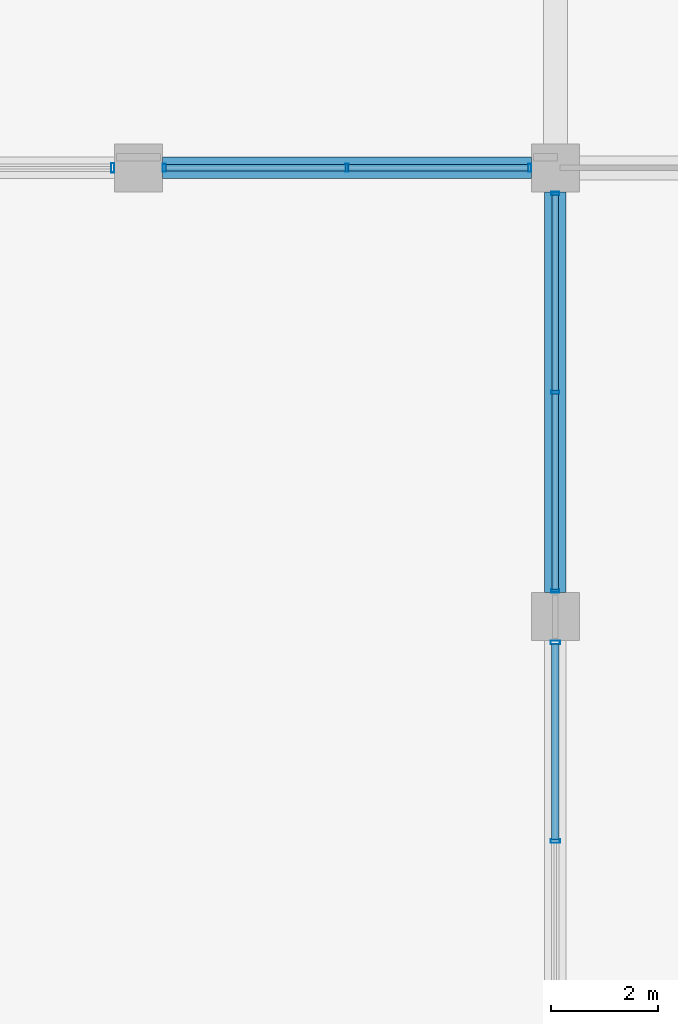
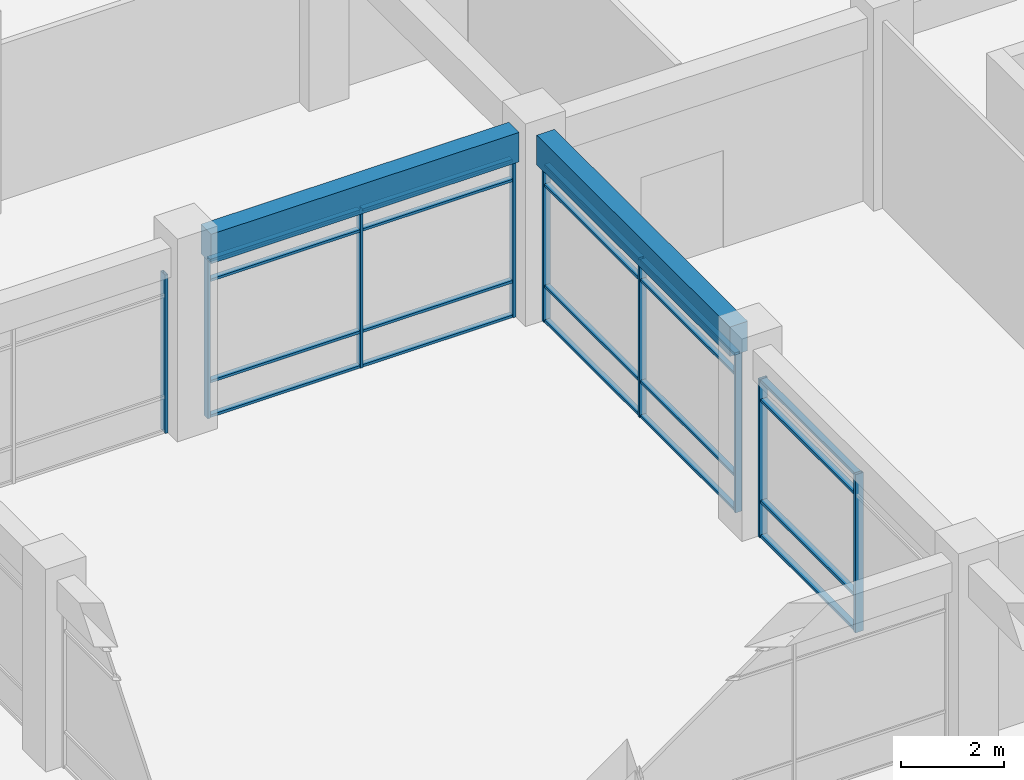
# One storey, part 35 of 74: 29 members, 2 beams, 4 elements without a shape of their own.
"""IFC4 building model written with IfcOpenShell, lengths in metres."""

from ifc_helpers import new_model, si_unit, direction, frame, origin, origin_2d, place, context, subcontext, project, spatial, rectangle, hollow_rectangle, extrude, material, material_profile, profile_set, type_object, element, aggregate, save


model = new_model("IFC4")

# Units and contexts
model_context = context("Model", 3, precision=1e-05, world=origin(), true_north=direction((0.0, 1.0)))
body_context = subcontext(model_context, "Body", "Model", "MODEL_VIEW")
ifc_project = project(units=[si_unit("LENGTHUNIT", "METRE"), si_unit("AREAUNIT", "SQUARE_METRE"), si_unit("VOLUMEUNIT", "CUBIC_METRE"), si_unit("PLANEANGLEUNIT", "RADIAN"), si_unit("MASSUNIT", "GRAM", prefix="KILO"), si_unit("THERMODYNAMICTEMPERATUREUNIT", "KELVIN"), si_unit("POWERUNIT", "WATT")], contexts=[model_context])

# Site, building, storey
site_placement = place(None, origin())
site = spatial("IfcSite", under=ifc_project, at=site_placement, CompositionType="ELEMENT")
building_placement = place(site_placement, origin())
building = spatial("IfcBuilding", under=site, at=building_placement, Name="Srebrne Nadtorze General Hospital", CompositionType="ELEMENT")
storey_placement = place(building_placement, origin())
storey = spatial("IfcBuildingStorey", under=building, at=storey_placement, Name="L00", CompositionType="ELEMENT", Elevation=0.0)

# Curtain wall, members
ifc_material_1 = material(Name="Anodised Aluminium", Category="aluminium")
curtain_wall_type_1 = type_object("IfcCurtainWallType", Name="Unitised curtain wall 6900x3750", PredefinedType="NOTDEFINED", material=ifc_material_1)
curtain_wall_1_placement = place(storey_placement, origin())
curtain_wall_1 = element("IfcCurtainWall", 1, at=curtain_wall_1_placement, inside=storey, type_object=curtain_wall_type_1, Name="Curtain wall CW-012", PredefinedType="NOTDEFINED")
ifc_material_2 = material(Name="Anodised Aluminium", Category="aluminium")
ifc_material_profile_1 = material_profile(ifc_material_2, hollow_rectangle(XDim=0.06005859375, YDim=0.14990234375, WallThickness=0.00390625, at=origin_2d()), Name="AL-MUL-60x150")
ifc_profile_set_1 = profile_set([ifc_material_profile_1], Name="Anodised Aluminium")
member_type_1 = type_object("IfcMemberType", Name="Curtain mullion 60x150", PredefinedType="MULLION", material=ifc_profile_set_1)
member_1_placement = place(storey_placement, frame((125.280029296875, 25.199951171875, 0.0), z_axis=(0.0, 0.0, 1.0), x_axis=(1.0, 0.0, 0.0)))
member_1 = element("IfcMember", 2, at=member_1_placement, type_object=member_type_1, Name="CW-012 mullion 1", PredefinedType="MULLION", context=body_context, shape_type="SweptSolid", body=[
    extrude(hollow_rectangle(XDim=0.06005859375, YDim=0.14990234375, WallThickness=0.00390625, at=origin_2d()), origin(), (0.0, 0.0, 1.0), 3.75),
])
member_2_placement = place(storey_placement, frame((128.699951171875, 25.199951171875, 0.0), z_axis=(0.0, 0.0, 1.0), x_axis=(1.0, 0.0, 0.0)))
member_2 = element("IfcMember", 3, at=member_2_placement, type_object=member_type_1, Name="CW-012 mullion 2", PredefinedType="MULLION", context=body_context, shape_type="SweptSolid", body=[
    extrude(hollow_rectangle(XDim=0.06005859375, YDim=0.14990234375, WallThickness=0.00390625, at=origin_2d()), origin(), (0.0, 0.0, 1.0), 3.75),
])
member_3_placement = place(storey_placement, frame((132.1201171875, 25.199951171875, 0.0), z_axis=(0.0, 0.0, 1.0), x_axis=(1.0, 0.0, 0.0)))
member_3 = element("IfcMember", 4, at=member_3_placement, type_object=member_type_1, Name="CW-012 mullion 3", PredefinedType="MULLION", context=body_context, shape_type="SweptSolid", body=[
    extrude(hollow_rectangle(XDim=0.06005859375, YDim=0.14990234375, WallThickness=0.00390625, at=origin_2d()), origin(), (0.0, 0.0, 1.0), 3.75),
])

ifc_material_3 = material(Name="Anodised Aluminium", Category="aluminium")
curtain_wall_type_2 = type_object("IfcCurtainWallType", Name="Unitised curtain wall 7500x3750", PredefinedType="NOTDEFINED", material=ifc_material_3)
curtain_wall_2_placement = place(storey_placement, origin())
curtain_wall_2 = element("IfcCurtainWall", 5, at=curtain_wall_2_placement, inside=storey, type_object=curtain_wall_type_2, Name="Curtain wall CW-028", PredefinedType="NOTDEFINED")
member_4_placement = place(storey_placement, frame((132.60009765625, 17.280029296875, 0.0), z_axis=(0.0, 0.0, 1.0), x_axis=(0.0, 1.0, 0.0)))
member_4 = element("IfcMember", 6, at=member_4_placement, type_object=member_type_1, Name="CW-028 mullion 1", PredefinedType="MULLION", context=body_context, shape_type="SweptSolid", body=[
    extrude(hollow_rectangle(XDim=0.06005859375, YDim=0.14990234375, WallThickness=0.00390625, at=origin_2d()), origin(), (0.0, 0.0, 1.0), 3.75),
])
member_5_placement = place(storey_placement, frame((132.60009765625, 21.0, 0.0), z_axis=(0.0, 0.0, 1.0), x_axis=(0.0, 1.0, 0.0)))
member_5 = element("IfcMember", 7, at=member_5_placement, type_object=member_type_1, Name="CW-028 mullion 2", PredefinedType="MULLION", context=body_context, shape_type="SweptSolid", body=[
    extrude(hollow_rectangle(XDim=0.06005859375, YDim=0.14990234375, WallThickness=0.00390625, at=origin_2d()), origin(), (0.0, 0.0, 1.0), 3.75),
])
member_6_placement = place(storey_placement, frame((132.60009765625, 24.719970703125, 0.0), z_axis=(0.0, 0.0, 1.0), x_axis=(0.0, 1.0, 0.0)))
member_6 = element("IfcMember", 8, at=member_6_placement, type_object=member_type_1, Name="CW-028 mullion 3", PredefinedType="MULLION", context=body_context, shape_type="SweptSolid", body=[
    extrude(hollow_rectangle(XDim=0.06005859375, YDim=0.14990234375, WallThickness=0.00390625, at=origin_2d()), origin(), (0.0, 0.0, 1.0), 3.75),
])

# Curtain wall, member
curtain_wall_3_placement = place(storey_placement, origin())
curtain_wall_3 = element("IfcCurtainWall", 9, at=curtain_wall_3_placement, inside=storey, type_object=curtain_wall_type_1, Name="Curtain wall CW-011", PredefinedType="NOTDEFINED")
ifc_material_4 = material(Name="Anodised Aluminium", Category="aluminium")
ifc_material_profile_2 = material_profile(ifc_material_4, hollow_rectangle(XDim=0.06494140625, YDim=0.179931640625, WallThickness=0.00390625, at=origin_2d()), Name="AL-MUL-65x180")
ifc_profile_set_2 = profile_set([ifc_material_profile_2], Name="Anodised Aluminium")
member_type_2 = type_object("IfcMemberType", Name="Curtain mullion 65x180", PredefinedType="MULLION", material=ifc_profile_set_2)
member_7_placement = place(storey_placement, frame((124.3173828125, 25.199951171875, 0.0), z_axis=(0.0, 0.0, 1.0), x_axis=(1.0, 0.0, 0.0)))
member_7 = element("IfcMember", 10, at=member_7_placement, type_object=member_type_2, Name="CW-011 mullion 3", PredefinedType="MULLION", context=body_context, shape_type="SweptSolid", body=[
    extrude(hollow_rectangle(XDim=0.06494140625, YDim=0.179931640625, WallThickness=0.00390625, at=origin_2d()), origin(), (0.0, 0.0, 1.0), 3.75),
])
aggregate(curtain_wall_3, [member_7])

# Curtain wall, members
curtain_wall_4_placement = place(storey_placement, origin())
curtain_wall_4 = element("IfcCurtainWall", 11, at=curtain_wall_4_placement, inside=storey, type_object=curtain_wall_type_2, Name="Curtain wall CW-027", PredefinedType="NOTDEFINED")
member_8_placement = place(storey_placement, frame((132.60009765625, 12.60009765625, 0.0), z_axis=(0.0, 0.0, 1.0), x_axis=(0.0, 1.0, 0.0)))
member_8 = element("IfcMember", 12, at=member_8_placement, type_object=member_type_2, Name="CW-027 mullion 2", PredefinedType="MULLION", context=body_context, shape_type="SweptSolid", body=[
    extrude(hollow_rectangle(XDim=0.06494140625, YDim=0.179931640625, WallThickness=0.00390625, at=origin_2d()), origin(), (0.0, 0.0, 1.0), 3.75),
])
member_9_placement = place(storey_placement, frame((132.60009765625, 16.3173828125, 0.0), z_axis=(0.0, 0.0, 1.0), x_axis=(0.0, 1.0, 0.0)))
member_9 = element("IfcMember", 13, at=member_9_placement, type_object=member_type_2, Name="CW-027 mullion 3", PredefinedType="MULLION", context=body_context, shape_type="SweptSolid", body=[
    extrude(hollow_rectangle(XDim=0.06494140625, YDim=0.179931640625, WallThickness=0.00390625, at=origin_2d()), origin(), (0.0, 0.0, 1.0), 3.75),
])

# Member
ifc_material_5 = material(Name="Anodised Aluminium", Category="aluminium")
ifc_material_profile_3 = material_profile(ifc_material_5, hollow_rectangle(XDim=0.06005859375, YDim=0.1201171875, WallThickness=0.00390625, at=origin_2d()), Name="AL-TRN-60x120")
ifc_profile_set_3 = profile_set([ifc_material_profile_3], Name="Anodised Aluminium")
member_type_3 = type_object("IfcMemberType", Name="Curtain transom 60x120", PredefinedType="USERDEFINED", material=ifc_profile_set_3)
member_10_placement = place(storey_placement, frame((125.31005859375, 25.199951171875, 0.030029296875), z_axis=(1.0, 0.0, 0.0), x_axis=(0.0, 0.0, 1.0)))
member_10 = element("IfcMember", 14, at=member_10_placement, type_object=member_type_3, Name="CW-012 transom 1.1", ObjectType="TRANSOM", PredefinedType="USERDEFINED", context=body_context, shape_type="SweptSolid", body=[
    extrude(hollow_rectangle(XDim=0.06005859375, YDim=0.1201171875, WallThickness=0.00390625, at=origin_2d()), origin(), (0.0, 0.0, 1.0), 3.35986328125),
])

member_11_placement = place(storey_placement, frame((125.31005859375, 25.199951171875, 0.85009765625), z_axis=(1.0, 0.0, 0.0), x_axis=(0.0, 0.0, 1.0)))
member_11 = element("IfcMember", 15, at=member_11_placement, type_object=member_type_3, Name="CW-012 transom 1.2", ObjectType="TRANSOM", PredefinedType="USERDEFINED", context=body_context, shape_type="SweptSolid", body=[
    extrude(hollow_rectangle(XDim=0.06005859375, YDim=0.1201171875, WallThickness=0.00390625, at=origin_2d()), origin(), (0.0, 0.0, 1.0), 3.35986328125),
])

member_12_placement = place(storey_placement, frame((125.31005859375, 25.199951171875, 3.25), z_axis=(1.0, 0.0, 0.0), x_axis=(0.0, 0.0, 1.0)))
member_12 = element("IfcMember", 16, at=member_12_placement, type_object=member_type_3, Name="CW-012 transom 1.3", ObjectType="TRANSOM", PredefinedType="USERDEFINED", context=body_context, shape_type="SweptSolid", body=[
    extrude(hollow_rectangle(XDim=0.06005859375, YDim=0.1201171875, WallThickness=0.00390625, at=origin_2d()), origin(), (0.0, 0.0, 1.0), 3.35986328125),
])

member_13_placement = place(storey_placement, frame((125.31005859375, 25.199951171875, 3.719970703125), z_axis=(1.0, 0.0, 0.0), x_axis=(0.0, 0.0, 1.0)))
member_13 = element("IfcMember", 17, at=member_13_placement, type_object=member_type_3, Name="CW-012 transom 1.4", ObjectType="TRANSOM", PredefinedType="USERDEFINED", context=body_context, shape_type="SweptSolid", body=[
    extrude(hollow_rectangle(XDim=0.06005859375, YDim=0.1201171875, WallThickness=0.00390625, at=origin_2d()), origin(), (0.0, 0.0, 1.0), 3.35986328125),
])

member_14_placement = place(storey_placement, frame((128.72998046875, 25.199951171875, 0.030029296875), z_axis=(1.0, 0.0, 0.0), x_axis=(0.0, 0.0, 1.0)))
member_14 = element("IfcMember", 18, at=member_14_placement, type_object=member_type_3, Name="CW-012 transom 2.1", ObjectType="TRANSOM", PredefinedType="USERDEFINED", context=body_context, shape_type="SweptSolid", body=[
    extrude(hollow_rectangle(XDim=0.06005859375, YDim=0.1201171875, WallThickness=0.00390625, at=origin_2d()), origin(), (0.0, 0.0, 1.0), 3.360107421875),
])

member_15_placement = place(storey_placement, frame((128.72998046875, 25.199951171875, 0.85009765625), z_axis=(1.0, 0.0, 0.0), x_axis=(0.0, 0.0, 1.0)))
member_15 = element("IfcMember", 19, at=member_15_placement, type_object=member_type_3, Name="CW-012 transom 2.2", ObjectType="TRANSOM", PredefinedType="USERDEFINED", context=body_context, shape_type="SweptSolid", body=[
    extrude(hollow_rectangle(XDim=0.06005859375, YDim=0.1201171875, WallThickness=0.00390625, at=origin_2d()), origin(), (0.0, 0.0, 1.0), 3.360107421875),
])

member_16_placement = place(storey_placement, frame((128.72998046875, 25.199951171875, 3.25), z_axis=(1.0, 0.0, 0.0), x_axis=(0.0, 0.0, 1.0)))
member_16 = element("IfcMember", 20, at=member_16_placement, type_object=member_type_3, Name="CW-012 transom 2.3", ObjectType="TRANSOM", PredefinedType="USERDEFINED", context=body_context, shape_type="SweptSolid", body=[
    extrude(hollow_rectangle(XDim=0.06005859375, YDim=0.1201171875, WallThickness=0.00390625, at=origin_2d()), origin(), (0.0, 0.0, 1.0), 3.360107421875),
])

member_17_placement = place(storey_placement, frame((128.72998046875, 25.199951171875, 3.719970703125), z_axis=(1.0, 0.0, 0.0), x_axis=(0.0, 0.0, 1.0)))
member_17 = element("IfcMember", 21, at=member_17_placement, type_object=member_type_3, Name="CW-012 transom 2.4", ObjectType="TRANSOM", PredefinedType="USERDEFINED", context=body_context, shape_type="SweptSolid", body=[
    extrude(hollow_rectangle(XDim=0.06005859375, YDim=0.1201171875, WallThickness=0.00390625, at=origin_2d()), origin(), (0.0, 0.0, 1.0), 3.360107421875),
])

aggregate(curtain_wall_1, [member_1, member_2, member_3, member_10, member_11, member_12, member_13, member_14, member_15, member_16, member_17])

member_18_placement = place(storey_placement, frame((132.60009765625, 17.31005859375, 0.030029296875), z_axis=(0.0, 1.0, 0.0), x_axis=(0.0, 0.0, 1.0)))
member_18 = element("IfcMember", 22, at=member_18_placement, type_object=member_type_3, Name="CW-028 transom 1.1", ObjectType="TRANSOM", PredefinedType="USERDEFINED", context=body_context, shape_type="SweptSolid", body=[
    extrude(hollow_rectangle(XDim=0.06005859375, YDim=0.1201171875, WallThickness=0.00390625, at=origin_2d()), origin(), (0.0, 0.0, 1.0), 3.659912109375),
])

member_19_placement = place(storey_placement, frame((132.60009765625, 17.31005859375, 0.85009765625), z_axis=(0.0, 1.0, 0.0), x_axis=(0.0, 0.0, 1.0)))
member_19 = element("IfcMember", 23, at=member_19_placement, type_object=member_type_3, Name="CW-028 transom 1.2", ObjectType="TRANSOM", PredefinedType="USERDEFINED", context=body_context, shape_type="SweptSolid", body=[
    extrude(hollow_rectangle(XDim=0.06005859375, YDim=0.1201171875, WallThickness=0.00390625, at=origin_2d()), origin(), (0.0, 0.0, 1.0), 3.659912109375),
])

member_20_placement = place(storey_placement, frame((132.60009765625, 17.31005859375, 3.25), z_axis=(0.0, 1.0, 0.0), x_axis=(0.0, 0.0, 1.0)))
member_20 = element("IfcMember", 24, at=member_20_placement, type_object=member_type_3, Name="CW-028 transom 1.3", ObjectType="TRANSOM", PredefinedType="USERDEFINED", context=body_context, shape_type="SweptSolid", body=[
    extrude(hollow_rectangle(XDim=0.06005859375, YDim=0.1201171875, WallThickness=0.00390625, at=origin_2d()), origin(), (0.0, 0.0, 1.0), 3.659912109375),
])

member_21_placement = place(storey_placement, frame((132.60009765625, 17.31005859375, 3.719970703125), z_axis=(0.0, 1.0, 0.0), x_axis=(0.0, 0.0, 1.0)))
member_21 = element("IfcMember", 25, at=member_21_placement, type_object=member_type_3, Name="CW-028 transom 1.4", ObjectType="TRANSOM", PredefinedType="USERDEFINED", context=body_context, shape_type="SweptSolid", body=[
    extrude(hollow_rectangle(XDim=0.06005859375, YDim=0.1201171875, WallThickness=0.00390625, at=origin_2d()), origin(), (0.0, 0.0, 1.0), 3.659912109375),
])

member_22_placement = place(storey_placement, frame((132.60009765625, 21.030029296875, 0.030029296875), z_axis=(0.0, 1.0, 0.0), x_axis=(0.0, 0.0, 1.0)))
member_22 = element("IfcMember", 26, at=member_22_placement, type_object=member_type_3, Name="CW-028 transom 2.1", ObjectType="TRANSOM", PredefinedType="USERDEFINED", context=body_context, shape_type="SweptSolid", body=[
    extrude(hollow_rectangle(XDim=0.06005859375, YDim=0.1201171875, WallThickness=0.00390625, at=origin_2d()), origin(), (0.0, 0.0, 1.0), 3.659912109375),
])

member_23_placement = place(storey_placement, frame((132.60009765625, 21.030029296875, 0.85009765625), z_axis=(0.0, 1.0, 0.0), x_axis=(0.0, 0.0, 1.0)))
member_23 = element("IfcMember", 27, at=member_23_placement, type_object=member_type_3, Name="CW-028 transom 2.2", ObjectType="TRANSOM", PredefinedType="USERDEFINED", context=body_context, shape_type="SweptSolid", body=[
    extrude(hollow_rectangle(XDim=0.06005859375, YDim=0.1201171875, WallThickness=0.00390625, at=origin_2d()), origin(), (0.0, 0.0, 1.0), 3.659912109375),
])

member_24_placement = place(storey_placement, frame((132.60009765625, 21.030029296875, 3.25), z_axis=(0.0, 1.0, 0.0), x_axis=(0.0, 0.0, 1.0)))
member_24 = element("IfcMember", 28, at=member_24_placement, type_object=member_type_3, Name="CW-028 transom 2.3", ObjectType="TRANSOM", PredefinedType="USERDEFINED", context=body_context, shape_type="SweptSolid", body=[
    extrude(hollow_rectangle(XDim=0.06005859375, YDim=0.1201171875, WallThickness=0.00390625, at=origin_2d()), origin(), (0.0, 0.0, 1.0), 3.659912109375),
])

member_25_placement = place(storey_placement, frame((132.60009765625, 21.030029296875, 3.719970703125), z_axis=(0.0, 1.0, 0.0), x_axis=(0.0, 0.0, 1.0)))
member_25 = element("IfcMember", 29, at=member_25_placement, type_object=member_type_3, Name="CW-028 transom 2.4", ObjectType="TRANSOM", PredefinedType="USERDEFINED", context=body_context, shape_type="SweptSolid", body=[
    extrude(hollow_rectangle(XDim=0.06005859375, YDim=0.1201171875, WallThickness=0.00390625, at=origin_2d()), origin(), (0.0, 0.0, 1.0), 3.659912109375),
])

aggregate(curtain_wall_2, [member_4, member_5, member_6, member_18, member_19, member_20, member_21, member_22, member_23, member_24, member_25])

ifc_material_6 = material(Name="Anodised Aluminium", Category="aluminium")
ifc_material_profile_4 = material_profile(ifc_material_6, hollow_rectangle(XDim=0.06494140625, YDim=0.139892578125, WallThickness=0.00390625, at=origin_2d()), Name="AL-TRN-65x140")
ifc_profile_set_4 = profile_set([ifc_material_profile_4], Name="Anodised Aluminium")
member_type_4 = type_object("IfcMemberType", Name="Curtain transom 65x140", PredefinedType="USERDEFINED", material=ifc_profile_set_4)
member_26_placement = place(storey_placement, frame((132.60009765625, 12.632568359375, 0.032470703125), z_axis=(0.0, 1.0, 0.0), x_axis=(0.0, 0.0, 1.0)))
member_26 = element("IfcMember", 30, at=member_26_placement, type_object=member_type_4, Name="CW-027 transom 2.1", ObjectType="TRANSOM", PredefinedType="USERDEFINED", context=body_context, shape_type="SweptSolid", body=[
    extrude(hollow_rectangle(XDim=0.06494140625, YDim=0.139892578125, WallThickness=0.00390625, at=origin_2d()), origin(), (0.0, 0.0, 1.0), 3.65234375),
])

member_27_placement = place(storey_placement, frame((132.60009765625, 12.632568359375, 0.85009765625), z_axis=(0.0, 1.0, 0.0), x_axis=(0.0, 0.0, 1.0)))
member_27 = element("IfcMember", 31, at=member_27_placement, type_object=member_type_4, Name="CW-027 transom 2.2", ObjectType="TRANSOM", PredefinedType="USERDEFINED", context=body_context, shape_type="SweptSolid", body=[
    extrude(hollow_rectangle(XDim=0.06494140625, YDim=0.139892578125, WallThickness=0.00390625, at=origin_2d()), origin(), (0.0, 0.0, 1.0), 3.65234375),
])

member_28_placement = place(storey_placement, frame((132.60009765625, 12.632568359375, 3.25), z_axis=(0.0, 1.0, 0.0), x_axis=(0.0, 0.0, 1.0)))
member_28 = element("IfcMember", 32, at=member_28_placement, type_object=member_type_4, Name="CW-027 transom 2.3", ObjectType="TRANSOM", PredefinedType="USERDEFINED", context=body_context, shape_type="SweptSolid", body=[
    extrude(hollow_rectangle(XDim=0.06494140625, YDim=0.139892578125, WallThickness=0.00390625, at=origin_2d()), origin(), (0.0, 0.0, 1.0), 3.65234375),
])

member_29_placement = place(storey_placement, frame((132.60009765625, 12.632568359375, 3.717529296875), z_axis=(0.0, 1.0, 0.0), x_axis=(0.0, 0.0, 1.0)))
member_29 = element("IfcMember", 33, at=member_29_placement, type_object=member_type_4, Name="CW-027 transom 2.4", ObjectType="TRANSOM", PredefinedType="USERDEFINED", context=body_context, shape_type="SweptSolid", body=[
    extrude(hollow_rectangle(XDim=0.06494140625, YDim=0.139892578125, WallThickness=0.00390625, at=origin_2d()), origin(), (0.0, 0.0, 1.0), 3.65234375),
])

aggregate(curtain_wall_4, [member_8, member_9, member_26, member_27, member_28, member_29])

# Beams
ifc_material_7 = material(Name="Concrete C40/50", Category="concrete")
ifc_material_profile_5 = material_profile(ifc_material_7, rectangle(XDim=0.39990234375, YDim=0.699951171875, at=origin_2d()), Name="RC-BM-400x700")
ifc_profile_set_5 = profile_set([ifc_material_profile_5], Name="Concrete C40/50")
beam_type = type_object("IfcBeamType", Name="Edge beam RC 400x700", PredefinedType="BEAM", material=ifc_profile_set_5)
beam_1_placement = place(storey_placement, frame((125.25, 25.199951171875, 4.10009765625), z_axis=(1.0, 0.0, 0.0), x_axis=(0.0, 1.0, 0.0)))
element("IfcBeam", 34, at=beam_1_placement, inside=storey, type_object=beam_type, Name="Beam BM-L00-X-0212", PredefinedType="BEAM", context=body_context, shape_type="SweptSolid", body=[
    extrude(rectangle(XDim=0.39990234375, YDim=0.699951171875, at=origin_2d()), origin(), (0.0, 0.0, 1.0), 6.89990234375),
])
beam_2_placement = place(storey_placement, frame((132.60009765625, 17.25, 4.10009765625), z_axis=(0.0, 1.0, 0.0), x_axis=(-1.0, 0.0, 0.0)))
element("IfcBeam", 35, at=beam_2_placement, inside=storey, type_object=beam_type, Name="Beam BM-L00-Y-0342", PredefinedType="BEAM", context=body_context, shape_type="SweptSolid", body=[
    extrude(rectangle(XDim=0.39990234375, YDim=0.699951171875, at=origin_2d()), origin(), (0.0, 0.0, 1.0), 7.5),
])

save(model, "model.ifc")
